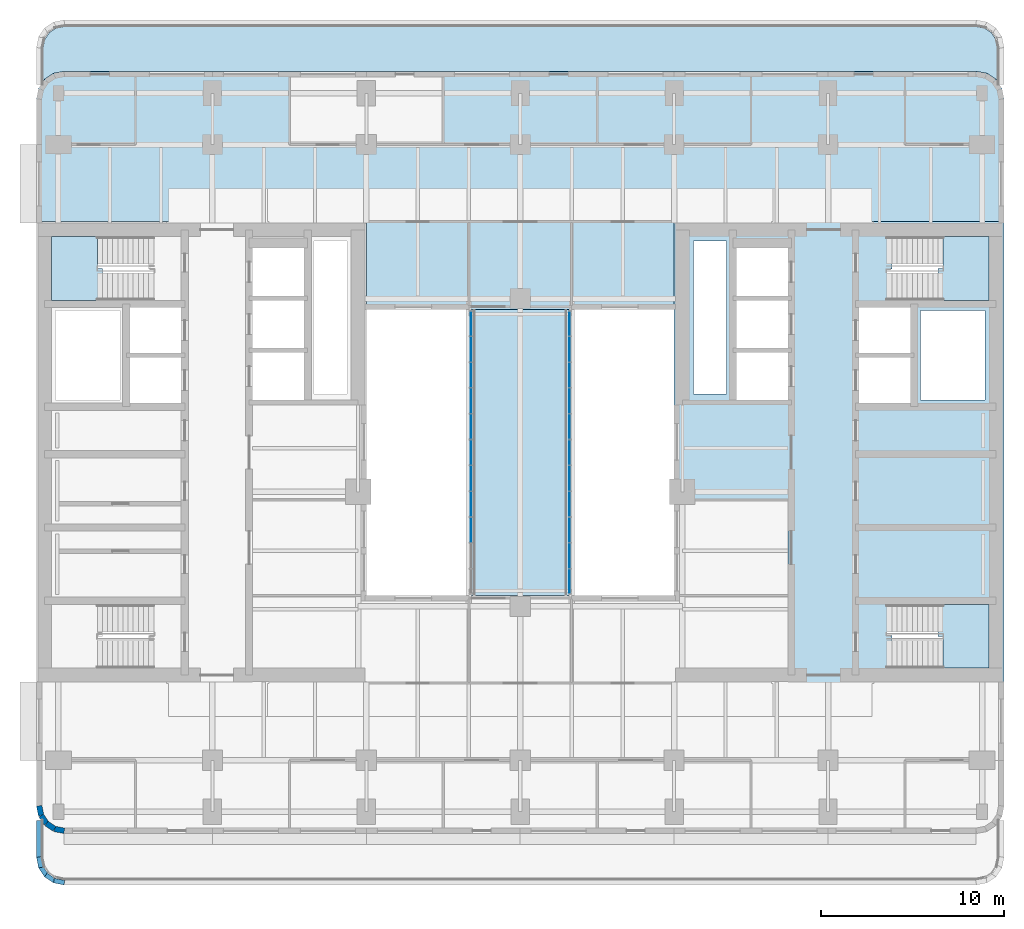
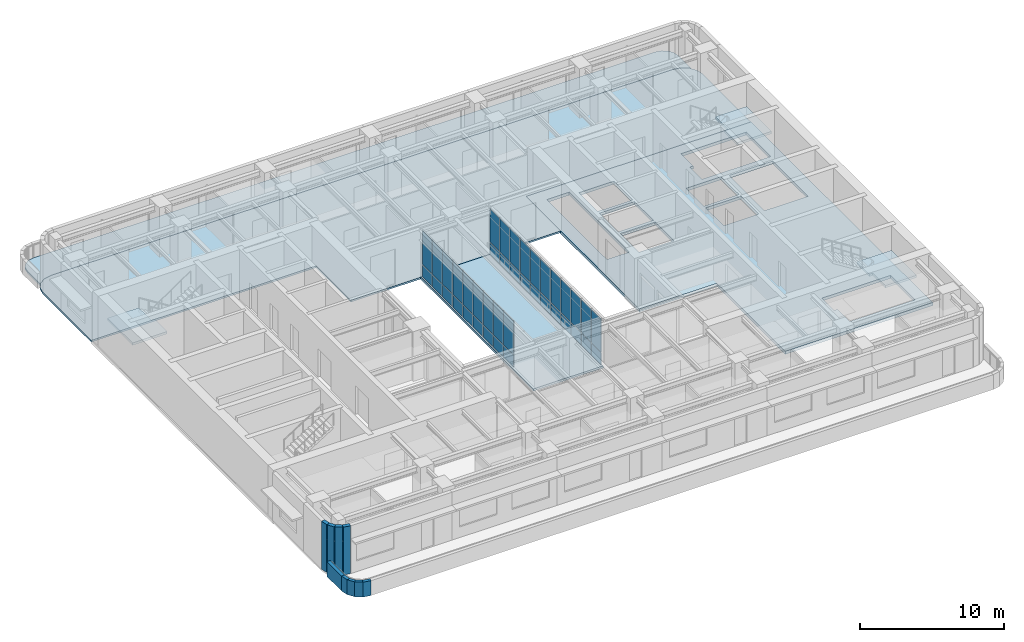
# One storey, part 5 of 15: 40 plates, 9 walls, 7 slabs, 5 elements without a shape of their own.
"""IFC4 building model written with IfcOpenShell, lengths in metres."""

import ifcopenshell
import ifcopenshell.guid

model = None  # the IFC model being written
_history = None  # IfcOwnerHistory: only IFC2X3 demands one
_inside = {}  # id of a spatial element -> (the spatial element, [elements in it])
_under = {}  # id of a project, library or spatial element -> (it, [spatial elements below it])
_declared = {}  # id of a project -> (the project, [libraries it declares])
_typed = {}  # id of a type object -> (the type object, [elements of that type])
_made_of = {}  # id of a material, layer set ... -> (it, [elements and type objects made of it])


def new_model(schema):
    """Start an empty IFC model of exactly this schema.

    Asked for "IFC4X3", IfcOpenShell would pick the latest addendum, in which some entities
    have other attributes; the version numbers below select the first issue.
    IFC2X3 requires an IfcOwnerHistory on every rooted entity: one is made here for all.
    """
    global model, _history
    if schema == "IFC4X3":
        model = ifcopenshell.file(schema_version=(4, 3, 0, 0))
    else:
        model = ifcopenshell.file(schema=schema)
    _inside.clear()
    _under.clear()
    _declared.clear()
    _typed.clear()
    _made_of.clear()
    _history = None
    if model.schema == "IFC2X3":
        org = make("IfcOrganization", Name="unknown")
        user = make(
            "IfcPersonAndOrganization",
            ThePerson=make("IfcPerson", FamilyName="unknown"),
            TheOrganization=org,
        )
        app = make(
            "IfcApplication",
            ApplicationDeveloper=org,
            Version="unknown",
            ApplicationFullName="unknown",
            ApplicationIdentifier="unknown",
        )
        _history = make(
            "IfcOwnerHistory",
            OwningUser=user,
            OwningApplication=app,
            ChangeAction="ADDED",
            CreationDate=0,
        )
    return model


def make(cls, **values):
    """One entity of the class cls with the attributes given. An attribute that is None is left unset."""
    return model.create_entity(
        cls, **{name: value for name, value in values.items() if value is not None}
    )


def rooted(cls, **values):
    """An entity with a GlobalId (a new one), such as an element, a storey or a relation."""
    return make(cls, GlobalId=ifcopenshell.guid.new(), OwnerHistory=_history, **values)


def si_unit(unit_type, name, prefix=None):
    """IfcSIUnit, for example si_unit("LENGTHUNIT", "METRE", prefix="MILLI")."""
    return make("IfcSIUnit", UnitType=unit_type, Prefix=prefix, Name=name)


def assignment(units):
    """IfcUnitAssignment: the units of a project."""
    return None if units is None else make("IfcUnitAssignment", Units=units)


def point(xyz):
    """IfcCartesianPoint."""
    return None if xyz is None else make("IfcCartesianPoint", Coordinates=xyz)


def direction(xyz):
    """IfcDirection."""
    return None if xyz is None else make("IfcDirection", DirectionRatios=xyz)


def frame(location, z_axis=None, x_axis=None):
    """IfcAxis2Placement3D, a coordinate frame: its origin and axes. An axis left out is left unset."""
    return make(
        "IfcAxis2Placement3D",
        Location=point(location),
        Axis=direction(z_axis),
        RefDirection=direction(x_axis),
    )


def frame_2d(location, x_axis=None):
    """IfcAxis2Placement2D, a coordinate frame in the plane: its origin and x axis."""
    return make(
        "IfcAxis2Placement2D", Location=point(location), RefDirection=direction(x_axis)
    )


def origin():
    """The frame at (0, 0, 0) with its axes left unset."""
    return frame((0.0, 0.0, 0.0))


def origin_2d():
    """The frame at (0, 0) in the plane with its x axis left unset."""
    return frame_2d((0.0, 0.0))


def place(relative_to, where):
    """IfcLocalPlacement: puts the frame where relative to a parent placement (None: the world)."""
    return make(
        "IfcLocalPlacement", PlacementRelTo=relative_to, RelativePlacement=where
    )


def context(
    kind, dimensions, precision=None, world=None, true_north=None, identifier=None
):
    """IfcGeometricRepresentationContext, for example the 3D "Model" context."""
    return make(
        "IfcGeometricRepresentationContext",
        ContextIdentifier=identifier,
        ContextType=kind,
        CoordinateSpaceDimension=dimensions,
        Precision=precision,
        WorldCoordinateSystem=world,
        TrueNorth=true_north,
    )


def subcontext(parent, identifier, kind, view, scale=None):
    """IfcGeometricRepresentationSubContext, for example "Body" below "Model"."""
    return make(
        "IfcGeometricRepresentationSubContext",
        ContextIdentifier=identifier,
        ContextType=kind,
        ParentContext=parent,
        TargetScale=scale,
        TargetView=view,
    )


def project(units=None, contexts=None):
    """IfcProject with its units and contexts."""
    return rooted(
        "IfcProject",
        Name="project",
        RepresentationContexts=contexts,
        UnitsInContext=assignment(units),
    )


def spatial(cls, under=None, at=None, **own):
    """A site, building, storey or space (cls), placed at a placement, below another one or the project."""
    s = rooted(cls, ObjectPlacement=at, **own)
    if under is not None:
        _under.setdefault(under.id(), (under, []))[1].append(s)
    return s


def polyline(points):
    """IfcPolyline through the points."""
    return make("IfcPolyline", Points=[point(p) for p in points])


def profile(cls, at=None, kind="AREA", **sizes):
    """A parametric profile (cls). Its sizes go by their IFC names, for example OverallWidth=200.0."""
    return make(cls, ProfileType=kind, Position=at, **sizes)


def rectangle(**sizes):
    """IfcRectangleProfileDef."""
    return profile("IfcRectangleProfileDef", **sizes)


def outline(outer, holes=None, kind="AREA"):
    """IfcArbitraryClosedProfileDef: a profile drawn as a closed curve; with holes, ...WithVoids."""
    if holes is None:
        return make("IfcArbitraryClosedProfileDef", ProfileType=kind, OuterCurve=outer)
    return make(
        "IfcArbitraryProfileDefWithVoids",
        ProfileType=kind,
        OuterCurve=outer,
        InnerCurves=holes,
    )


def extrude(swept, where, along, depth):
    """IfcExtrudedAreaSolid: the profile swept, set in the frame where, extruded along a direction by depth."""
    return make(
        "IfcExtrudedAreaSolid",
        SweptArea=swept,
        Position=where,
        ExtrudedDirection=direction(along),
        Depth=depth,
    )


def shape(context_of_items, identifier, shape_type, items):
    """IfcShapeRepresentation: the items that make up one representation, for example the "Body"."""
    return make(
        "IfcShapeRepresentation",
        ContextOfItems=context_of_items,
        RepresentationIdentifier=identifier,
        RepresentationType=shape_type,
        Items=items,
    )


def material(Name=None, Category=None):
    """IfcMaterial."""
    return make("IfcMaterial", Name=Name, Category=Category)


def layer(
    of_material, thickness, ventilated=None, Name=None, Category=None, Priority=None
):
    """IfcMaterialLayer: one layer of a wall or slab, of a material (None: an air gap)."""
    return make(
        "IfcMaterialLayer",
        Material=of_material,
        LayerThickness=thickness,
        IsVentilated=ventilated,
        Name=Name,
        Category=Category,
        Priority=Priority,
    )


def layer_set(layers, Name=None):
    """IfcMaterialLayerSet."""
    return make("IfcMaterialLayerSet", MaterialLayers=layers, LayerSetName=Name)


def made_of(thing, what):
    """Note that an element or type object is made of a material, layer set ...; save() writes the relation."""
    if what is not None:
        _made_of.setdefault(what.id(), (what, []))[1].append(thing)
    return thing


def type_object(cls, material=None, **own):
    """A type object (cls), such as IfcWallType, which elements share."""
    return made_of(rooted(cls, **own), material)


def element(
    cls,
    number,
    at=None,
    inside=None,
    cuts=None,
    type_object=None,
    material=None,
    context=None,
    identifier="Body",
    shape_type=None,
    held_by="IfcProductDefinitionShape",
    body=None,
    shapes=None,
    **own,
):
    """One element of the class cls, such as IfcWall. Its Tag is "e" and its number.

    at: its placement. inside: the storey or other place that contains it. cuts: it is an
    opening in that element (IfcRelVoidsElement). A single representation is given by context,
    identifier, shape_type and body (its items); several are given by shapes. held_by: the class
    of the entity that holds the representations. save() writes the other relations.
    """
    e = rooted(cls, Tag="e%d" % number, ObjectPlacement=at, **own)
    if body is not None:
        shapes = [shape(context, identifier, shape_type, body)]
    if shapes is not None:
        e.Representation = make(held_by, Representations=shapes)
    if inside is not None:
        _inside.setdefault(inside.id(), (inside, []))[1].append(e)
    if cuts is not None:
        rooted(
            "IfcRelVoidsElement", RelatingBuildingElement=cuts, RelatedOpeningElement=e
        )
    if type_object is not None:
        _typed.setdefault(type_object.id(), (type_object, []))[1].append(e)
    return made_of(e, material)


def aggregate(whole, parts):
    """IfcRelAggregates: a whole, such as a stair, and the parts it consists of."""
    return rooted("IfcRelAggregates", RelatingObject=whole, RelatedObjects=parts)


def save(model, path):
    """Write the relations noted so far, then the file.

    IfcRelAggregates (storeys below a building ...), IfcRelContainedInSpatialStructure (elements
    in a storey), IfcRelDefinesByType, IfcRelAssociatesMaterial and IfcRelDeclares: one each for
    every whole, place, type object, material and project.
    """
    for whole, parts in _under.values():
        aggregate(whole, parts)
    for where, things in _inside.values():
        rooted(
            "IfcRelContainedInSpatialStructure",
            RelatedElements=things,
            RelatingStructure=where,
        )
    for kind, things in _typed.values():
        rooted("IfcRelDefinesByType", RelatedObjects=things, RelatingType=kind)
    for what, things in _made_of.values():
        rooted("IfcRelAssociatesMaterial", RelatedObjects=things, RelatingMaterial=what)
    for by, libraries in _declared.values():
        rooted("IfcRelDeclares", RelatingContext=by, RelatedDefinitions=libraries)
    model.write(path)


model = new_model("IFC4")

# Units and contexts
model_context = context("Model", 3, precision=1e-05, world=origin(), true_north=direction((0.0, 1.0)))
body_context = subcontext(model_context, "Body", "Model", "MODEL_VIEW")
ifc_project = project(units=[si_unit("LENGTHUNIT", "METRE"), si_unit("AREAUNIT", "SQUARE_METRE"), si_unit("VOLUMEUNIT", "CUBIC_METRE"), si_unit("PLANEANGLEUNIT", "RADIAN"), si_unit("MASSUNIT", "GRAM", prefix="KILO")], contexts=[model_context])

# Site, building, storey
site_placement = place(None, origin())
site = spatial("IfcSite", under=ifc_project, at=site_placement, CompositionType="ELEMENT")
building_placement = place(site_placement, origin())
building = spatial("IfcBuilding", under=site, at=building_placement, Name="Claustro Exchange Tower", CompositionType="ELEMENT")
storey_placement = place(building_placement, frame((0.0, 0.0, 173.39990234375)))
storey = spatial("IfcBuildingStorey", under=building, at=storey_placement, Name="L39", CompositionType="ELEMENT", Elevation=173.39990234375)

# Curtain wall, plates
ifc_material_1 = material(Name="Aluminium frame, clear double glazing", Category="aluminium")
curtain_wall_type = type_object("IfcCurtainWallType", Name="CW2 sky bridge curtain wall", PredefinedType="USERDEFINED", material=ifc_material_1)
curtain_wall_1_placement = place(storey_placement, origin())
curtain_wall_1 = element("IfcCurtainWall", 1, at=curtain_wall_1_placement, inside=storey, type_object=curtain_wall_type, Name="Curtain wall CW2 L39", ObjectType="STICK CURTAIN WALL", PredefinedType="USERDEFINED")
ifc_material_2 = material(Name="Clear double glazing", Category="glass")
ifc_layer_1 = layer(ifc_material_2, 0.028076171875)
ifc_layer_set_1 = layer_set([ifc_layer_1], Name="Clear double glazing")
plate_type = type_object("IfcPlateType", Name="CW2-P 28 glazed panel", PredefinedType="CURTAIN_PANEL", material=ifc_layer_set_1)
plate_1_placement = place(storey_placement, frame((22.5, 20.97265625, 0.06005859375), z_axis=(0.0, 0.0, 1.0), x_axis=(0.0, 1.0, 0.0)))
plate_1 = element("IfcPlate", 2, at=plate_1_placement, type_object=plate_type, Name="CW2 panel 3.1", PredefinedType="CURTAIN_PANEL", context=body_context, shape_type="SweptSolid", body=[
    extrude(rectangle(XDim=1.34912109375, YDim=0.028076171875, at=origin_2d()), origin(), (0.0, 0.0, 1.0), 1.010009765625),
])
plate_2_placement = place(storey_placement, frame((22.5, 20.97265625, 1.130126953125), z_axis=(0.0, 0.0, 1.0), x_axis=(0.0, 1.0, 0.0)))
plate_2 = element("IfcPlate", 3, at=plate_2_placement, type_object=plate_type, Name="CW2 panel 3.2", PredefinedType="CURTAIN_PANEL", context=body_context, shape_type="SweptSolid", body=[
    extrude(rectangle(XDim=1.34912109375, YDim=0.028076171875, at=origin_2d()), origin(), (0.0, 0.0, 1.0), 2.81005859375),
])
plate_3_placement = place(storey_placement, frame((22.5, 22.3818359375, 0.06005859375), z_axis=(0.0, 0.0, 1.0), x_axis=(0.0, 1.0, 0.0)))
plate_3 = element("IfcPlate", 4, at=plate_3_placement, type_object=plate_type, Name="CW2 panel 4.1", PredefinedType="CURTAIN_PANEL", context=body_context, shape_type="SweptSolid", body=[
    extrude(rectangle(XDim=1.34912109375, YDim=0.028076171875, at=origin_2d()), origin(), (0.0, 0.0, 1.0), 1.010009765625),
])
plate_4_placement = place(storey_placement, frame((22.5, 22.3818359375, 1.130126953125), z_axis=(0.0, 0.0, 1.0), x_axis=(0.0, 1.0, 0.0)))
plate_4 = element("IfcPlate", 5, at=plate_4_placement, type_object=plate_type, Name="CW2 panel 4.2", PredefinedType="CURTAIN_PANEL", context=body_context, shape_type="SweptSolid", body=[
    extrude(rectangle(XDim=1.34912109375, YDim=0.028076171875, at=origin_2d()), origin(), (0.0, 0.0, 1.0), 2.81005859375),
])
plate_5_placement = place(storey_placement, frame((22.5, 23.791015625, 0.06005859375), z_axis=(0.0, 0.0, 1.0), x_axis=(0.0, 1.0, 0.0)))
plate_5 = element("IfcPlate", 6, at=plate_5_placement, type_object=plate_type, Name="CW2 panel 5.1", PredefinedType="CURTAIN_PANEL", context=body_context, shape_type="SweptSolid", body=[
    extrude(rectangle(XDim=1.34912109375, YDim=0.028076171875, at=origin_2d()), origin(), (0.0, 0.0, 1.0), 1.010009765625),
])
plate_6_placement = place(storey_placement, frame((22.5, 23.791015625, 1.130126953125), z_axis=(0.0, 0.0, 1.0), x_axis=(0.0, 1.0, 0.0)))
plate_6 = element("IfcPlate", 7, at=plate_6_placement, type_object=plate_type, Name="CW2 panel 5.2", PredefinedType="CURTAIN_PANEL", context=body_context, shape_type="SweptSolid", body=[
    extrude(rectangle(XDim=1.34912109375, YDim=0.028076171875, at=origin_2d()), origin(), (0.0, 0.0, 1.0), 2.81005859375),
])
plate_7_placement = place(storey_placement, frame((22.5, 25.199951171875, 0.06005859375), z_axis=(0.0, 0.0, 1.0), x_axis=(0.0, 1.0, 0.0)))
plate_7 = element("IfcPlate", 8, at=plate_7_placement, type_object=plate_type, Name="CW2 panel 6.1", PredefinedType="CURTAIN_PANEL", context=body_context, shape_type="SweptSolid", body=[
    extrude(rectangle(XDim=1.34912109375, YDim=0.028076171875, at=origin_2d()), origin(), (0.0, 0.0, 1.0), 1.010009765625),
])
plate_8_placement = place(storey_placement, frame((22.5, 25.199951171875, 1.130126953125), z_axis=(0.0, 0.0, 1.0), x_axis=(0.0, 1.0, 0.0)))
plate_8 = element("IfcPlate", 9, at=plate_8_placement, type_object=plate_type, Name="CW2 panel 6.2", PredefinedType="CURTAIN_PANEL", context=body_context, shape_type="SweptSolid", body=[
    extrude(rectangle(XDim=1.34912109375, YDim=0.028076171875, at=origin_2d()), origin(), (0.0, 0.0, 1.0), 2.81005859375),
])
plate_9_placement = place(storey_placement, frame((22.5, 26.609130859375, 0.06005859375), z_axis=(0.0, 0.0, 1.0), x_axis=(0.0, 1.0, 0.0)))
plate_9 = element("IfcPlate", 10, at=plate_9_placement, type_object=plate_type, Name="CW2 panel 7.1", PredefinedType="CURTAIN_PANEL", context=body_context, shape_type="SweptSolid", body=[
    extrude(rectangle(XDim=1.34912109375, YDim=0.028076171875, at=origin_2d()), origin(), (0.0, 0.0, 1.0), 1.010009765625),
])
plate_10_placement = place(storey_placement, frame((22.5, 26.609130859375, 1.130126953125), z_axis=(0.0, 0.0, 1.0), x_axis=(0.0, 1.0, 0.0)))
plate_10 = element("IfcPlate", 11, at=plate_10_placement, type_object=plate_type, Name="CW2 panel 7.2", PredefinedType="CURTAIN_PANEL", context=body_context, shape_type="SweptSolid", body=[
    extrude(rectangle(XDim=1.34912109375, YDim=0.028076171875, at=origin_2d()), origin(), (0.0, 0.0, 1.0), 2.81005859375),
])
plate_11_placement = place(storey_placement, frame((22.5, 28.01806640625, 0.06005859375), z_axis=(0.0, 0.0, 1.0), x_axis=(0.0, 1.0, 0.0)))
plate_11 = element("IfcPlate", 12, at=plate_11_placement, type_object=plate_type, Name="CW2 panel 8.1", PredefinedType="CURTAIN_PANEL", context=body_context, shape_type="SweptSolid", body=[
    extrude(rectangle(XDim=1.34912109375, YDim=0.028076171875, at=origin_2d()), origin(), (0.0, 0.0, 1.0), 1.010009765625),
])
plate_12_placement = place(storey_placement, frame((22.5, 28.01806640625, 1.130126953125), z_axis=(0.0, 0.0, 1.0), x_axis=(0.0, 1.0, 0.0)))
plate_12 = element("IfcPlate", 13, at=plate_12_placement, type_object=plate_type, Name="CW2 panel 8.2", PredefinedType="CURTAIN_PANEL", context=body_context, shape_type="SweptSolid", body=[
    extrude(rectangle(XDim=1.34912109375, YDim=0.028076171875, at=origin_2d()), origin(), (0.0, 0.0, 1.0), 2.81005859375),
])
plate_13_placement = place(storey_placement, frame((22.5, 29.42724609375, 0.06005859375), z_axis=(0.0, 0.0, 1.0), x_axis=(0.0, 1.0, 0.0)))
plate_13 = element("IfcPlate", 14, at=plate_13_placement, type_object=plate_type, Name="CW2 panel 9.1", PredefinedType="CURTAIN_PANEL", context=body_context, shape_type="SweptSolid", body=[
    extrude(rectangle(XDim=1.34912109375, YDim=0.028076171875, at=origin_2d()), origin(), (0.0, 0.0, 1.0), 1.010009765625),
])
plate_14_placement = place(storey_placement, frame((22.5, 29.42724609375, 1.130126953125), z_axis=(0.0, 0.0, 1.0), x_axis=(0.0, 1.0, 0.0)))
plate_14 = element("IfcPlate", 15, at=plate_14_placement, type_object=plate_type, Name="CW2 panel 9.2", PredefinedType="CURTAIN_PANEL", context=body_context, shape_type="SweptSolid", body=[
    extrude(rectangle(XDim=1.34912109375, YDim=0.028076171875, at=origin_2d()), origin(), (0.0, 0.0, 1.0), 2.81005859375),
])
plate_15_placement = place(storey_placement, frame((22.5, 30.83642578125, 0.06005859375), z_axis=(0.0, 0.0, 1.0), x_axis=(0.0, 1.0, 0.0)))
plate_15 = element("IfcPlate", 16, at=plate_15_placement, type_object=plate_type, Name="CW2 panel 10.1", PredefinedType="CURTAIN_PANEL", context=body_context, shape_type="SweptSolid", body=[
    extrude(rectangle(XDim=1.34912109375, YDim=0.028076171875, at=origin_2d()), origin(), (0.0, 0.0, 1.0), 1.010009765625),
])
plate_16_placement = place(storey_placement, frame((22.5, 30.83642578125, 1.130126953125), z_axis=(0.0, 0.0, 1.0), x_axis=(0.0, 1.0, 0.0)))
plate_16 = element("IfcPlate", 17, at=plate_16_placement, type_object=plate_type, Name="CW2 panel 10.2", PredefinedType="CURTAIN_PANEL", context=body_context, shape_type="SweptSolid", body=[
    extrude(rectangle(XDim=1.34912109375, YDim=0.028076171875, at=origin_2d()), origin(), (0.0, 0.0, 1.0), 2.81005859375),
])
plate_17_placement = place(storey_placement, frame((22.5, 32.23046875, 0.06005859375), z_axis=(0.0, 0.0, 1.0), x_axis=(0.0, 1.0, 0.0)))
plate_17 = element("IfcPlate", 18, at=plate_17_placement, type_object=plate_type, Name="CW2 panel 11.1", PredefinedType="CURTAIN_PANEL", context=body_context, shape_type="SweptSolid", body=[
    extrude(rectangle(XDim=1.319091796875, YDim=0.028076171875, at=origin_2d()), origin(), (0.0, 0.0, 1.0), 1.010009765625),
])
plate_18_placement = place(storey_placement, frame((22.5, 32.23046875, 1.130126953125), z_axis=(0.0, 0.0, 1.0), x_axis=(0.0, 1.0, 0.0)))
plate_18 = element("IfcPlate", 19, at=plate_18_placement, type_object=plate_type, Name="CW2 panel 11.2", PredefinedType="CURTAIN_PANEL", context=body_context, shape_type="SweptSolid", body=[
    extrude(rectangle(XDim=1.319091796875, YDim=0.028076171875, at=origin_2d()), origin(), (0.0, 0.0, 1.0), 2.81005859375),
])
aggregate(curtain_wall_1, [plate_1, plate_2, plate_3, plate_4, plate_5, plate_6, plate_7, plate_8, plate_9, plate_10, plate_11, plate_12, plate_13, plate_14, plate_15, plate_16, plate_17, plate_18])

curtain_wall_2_placement = place(storey_placement, origin())
curtain_wall_2 = element("IfcCurtainWall", 20, at=curtain_wall_2_placement, inside=storey, type_object=curtain_wall_type, Name="Curtain wall CW2 L39", ObjectType="STICK CURTAIN WALL", PredefinedType="USERDEFINED")
plate_19_placement = place(storey_placement, frame((27.89990234375, 18.16943359375, 0.06005859375), z_axis=(0.0, 0.0, 1.0), x_axis=(0.0, 1.0, 0.0)))
plate_19 = element("IfcPlate", 21, at=plate_19_placement, type_object=plate_type, Name="CW2 panel 1.1", PredefinedType="CURTAIN_PANEL", context=body_context, shape_type="SweptSolid", body=[
    extrude(rectangle(XDim=1.319091796875, YDim=0.028076171875, at=origin_2d()), origin(), (0.0, 0.0, 1.0), 1.010009765625),
])
plate_20_placement = place(storey_placement, frame((27.89990234375, 18.16943359375, 1.130126953125), z_axis=(0.0, 0.0, 1.0), x_axis=(0.0, 1.0, 0.0)))
plate_20 = element("IfcPlate", 22, at=plate_20_placement, type_object=plate_type, Name="CW2 panel 1.2", PredefinedType="CURTAIN_PANEL", context=body_context, shape_type="SweptSolid", body=[
    extrude(rectangle(XDim=1.319091796875, YDim=0.028076171875, at=origin_2d()), origin(), (0.0, 0.0, 1.0), 2.81005859375),
])
plate_21_placement = place(storey_placement, frame((27.89990234375, 19.563720703125, 0.06005859375), z_axis=(0.0, 0.0, 1.0), x_axis=(0.0, 1.0, 0.0)))
plate_21 = element("IfcPlate", 23, at=plate_21_placement, type_object=plate_type, Name="CW2 panel 2.1", PredefinedType="CURTAIN_PANEL", context=body_context, shape_type="SweptSolid", body=[
    extrude(rectangle(XDim=1.34912109375, YDim=0.028076171875, at=origin_2d()), origin(), (0.0, 0.0, 1.0), 1.010009765625),
])
plate_22_placement = place(storey_placement, frame((27.89990234375, 19.563720703125, 1.130126953125), z_axis=(0.0, 0.0, 1.0), x_axis=(0.0, 1.0, 0.0)))
plate_22 = element("IfcPlate", 24, at=plate_22_placement, type_object=plate_type, Name="CW2 panel 2.2", PredefinedType="CURTAIN_PANEL", context=body_context, shape_type="SweptSolid", body=[
    extrude(rectangle(XDim=1.34912109375, YDim=0.028076171875, at=origin_2d()), origin(), (0.0, 0.0, 1.0), 2.81005859375),
])
plate_23_placement = place(storey_placement, frame((27.89990234375, 20.97265625, 0.06005859375), z_axis=(0.0, 0.0, 1.0), x_axis=(0.0, 1.0, 0.0)))
plate_23 = element("IfcPlate", 25, at=plate_23_placement, type_object=plate_type, Name="CW2 panel 3.1", PredefinedType="CURTAIN_PANEL", context=body_context, shape_type="SweptSolid", body=[
    extrude(rectangle(XDim=1.34912109375, YDim=0.028076171875, at=origin_2d()), origin(), (0.0, 0.0, 1.0), 1.010009765625),
])
plate_24_placement = place(storey_placement, frame((27.89990234375, 20.97265625, 1.130126953125), z_axis=(0.0, 0.0, 1.0), x_axis=(0.0, 1.0, 0.0)))
plate_24 = element("IfcPlate", 26, at=plate_24_placement, type_object=plate_type, Name="CW2 panel 3.2", PredefinedType="CURTAIN_PANEL", context=body_context, shape_type="SweptSolid", body=[
    extrude(rectangle(XDim=1.34912109375, YDim=0.028076171875, at=origin_2d()), origin(), (0.0, 0.0, 1.0), 2.81005859375),
])
plate_25_placement = place(storey_placement, frame((27.89990234375, 22.3818359375, 0.06005859375), z_axis=(0.0, 0.0, 1.0), x_axis=(0.0, 1.0, 0.0)))
plate_25 = element("IfcPlate", 27, at=plate_25_placement, type_object=plate_type, Name="CW2 panel 4.1", PredefinedType="CURTAIN_PANEL", context=body_context, shape_type="SweptSolid", body=[
    extrude(rectangle(XDim=1.34912109375, YDim=0.028076171875, at=origin_2d()), origin(), (0.0, 0.0, 1.0), 1.010009765625),
])
plate_26_placement = place(storey_placement, frame((27.89990234375, 22.3818359375, 1.130126953125), z_axis=(0.0, 0.0, 1.0), x_axis=(0.0, 1.0, 0.0)))
plate_26 = element("IfcPlate", 28, at=plate_26_placement, type_object=plate_type, Name="CW2 panel 4.2", PredefinedType="CURTAIN_PANEL", context=body_context, shape_type="SweptSolid", body=[
    extrude(rectangle(XDim=1.34912109375, YDim=0.028076171875, at=origin_2d()), origin(), (0.0, 0.0, 1.0), 2.81005859375),
])
plate_27_placement = place(storey_placement, frame((27.89990234375, 23.791015625, 0.06005859375), z_axis=(0.0, 0.0, 1.0), x_axis=(0.0, 1.0, 0.0)))
plate_27 = element("IfcPlate", 29, at=plate_27_placement, type_object=plate_type, Name="CW2 panel 5.1", PredefinedType="CURTAIN_PANEL", context=body_context, shape_type="SweptSolid", body=[
    extrude(rectangle(XDim=1.34912109375, YDim=0.028076171875, at=origin_2d()), origin(), (0.0, 0.0, 1.0), 1.010009765625),
])
plate_28_placement = place(storey_placement, frame((27.89990234375, 23.791015625, 1.130126953125), z_axis=(0.0, 0.0, 1.0), x_axis=(0.0, 1.0, 0.0)))
plate_28 = element("IfcPlate", 30, at=plate_28_placement, type_object=plate_type, Name="CW2 panel 5.2", PredefinedType="CURTAIN_PANEL", context=body_context, shape_type="SweptSolid", body=[
    extrude(rectangle(XDim=1.34912109375, YDim=0.028076171875, at=origin_2d()), origin(), (0.0, 0.0, 1.0), 2.81005859375),
])
plate_29_placement = place(storey_placement, frame((27.89990234375, 25.199951171875, 0.06005859375), z_axis=(0.0, 0.0, 1.0), x_axis=(0.0, 1.0, 0.0)))
plate_29 = element("IfcPlate", 31, at=plate_29_placement, type_object=plate_type, Name="CW2 panel 6.1", PredefinedType="CURTAIN_PANEL", context=body_context, shape_type="SweptSolid", body=[
    extrude(rectangle(XDim=1.34912109375, YDim=0.028076171875, at=origin_2d()), origin(), (0.0, 0.0, 1.0), 1.010009765625),
])
plate_30_placement = place(storey_placement, frame((27.89990234375, 25.199951171875, 1.130126953125), z_axis=(0.0, 0.0, 1.0), x_axis=(0.0, 1.0, 0.0)))
plate_30 = element("IfcPlate", 32, at=plate_30_placement, type_object=plate_type, Name="CW2 panel 6.2", PredefinedType="CURTAIN_PANEL", context=body_context, shape_type="SweptSolid", body=[
    extrude(rectangle(XDim=1.34912109375, YDim=0.028076171875, at=origin_2d()), origin(), (0.0, 0.0, 1.0), 2.81005859375),
])
plate_31_placement = place(storey_placement, frame((27.89990234375, 26.609130859375, 0.06005859375), z_axis=(0.0, 0.0, 1.0), x_axis=(0.0, 1.0, 0.0)))
plate_31 = element("IfcPlate", 33, at=plate_31_placement, type_object=plate_type, Name="CW2 panel 7.1", PredefinedType="CURTAIN_PANEL", context=body_context, shape_type="SweptSolid", body=[
    extrude(rectangle(XDim=1.34912109375, YDim=0.028076171875, at=origin_2d()), origin(), (0.0, 0.0, 1.0), 1.010009765625),
])
plate_32_placement = place(storey_placement, frame((27.89990234375, 26.609130859375, 1.130126953125), z_axis=(0.0, 0.0, 1.0), x_axis=(0.0, 1.0, 0.0)))
plate_32 = element("IfcPlate", 34, at=plate_32_placement, type_object=plate_type, Name="CW2 panel 7.2", PredefinedType="CURTAIN_PANEL", context=body_context, shape_type="SweptSolid", body=[
    extrude(rectangle(XDim=1.34912109375, YDim=0.028076171875, at=origin_2d()), origin(), (0.0, 0.0, 1.0), 2.81005859375),
])
plate_33_placement = place(storey_placement, frame((27.89990234375, 28.01806640625, 0.06005859375), z_axis=(0.0, 0.0, 1.0), x_axis=(0.0, 1.0, 0.0)))
plate_33 = element("IfcPlate", 35, at=plate_33_placement, type_object=plate_type, Name="CW2 panel 8.1", PredefinedType="CURTAIN_PANEL", context=body_context, shape_type="SweptSolid", body=[
    extrude(rectangle(XDim=1.34912109375, YDim=0.028076171875, at=origin_2d()), origin(), (0.0, 0.0, 1.0), 1.010009765625),
])
plate_34_placement = place(storey_placement, frame((27.89990234375, 28.01806640625, 1.130126953125), z_axis=(0.0, 0.0, 1.0), x_axis=(0.0, 1.0, 0.0)))
plate_34 = element("IfcPlate", 36, at=plate_34_placement, type_object=plate_type, Name="CW2 panel 8.2", PredefinedType="CURTAIN_PANEL", context=body_context, shape_type="SweptSolid", body=[
    extrude(rectangle(XDim=1.34912109375, YDim=0.028076171875, at=origin_2d()), origin(), (0.0, 0.0, 1.0), 2.81005859375),
])
plate_35_placement = place(storey_placement, frame((27.89990234375, 29.42724609375, 0.06005859375), z_axis=(0.0, 0.0, 1.0), x_axis=(0.0, 1.0, 0.0)))
plate_35 = element("IfcPlate", 37, at=plate_35_placement, type_object=plate_type, Name="CW2 panel 9.1", PredefinedType="CURTAIN_PANEL", context=body_context, shape_type="SweptSolid", body=[
    extrude(rectangle(XDim=1.34912109375, YDim=0.028076171875, at=origin_2d()), origin(), (0.0, 0.0, 1.0), 1.010009765625),
])
plate_36_placement = place(storey_placement, frame((27.89990234375, 29.42724609375, 1.130126953125), z_axis=(0.0, 0.0, 1.0), x_axis=(0.0, 1.0, 0.0)))
plate_36 = element("IfcPlate", 38, at=plate_36_placement, type_object=plate_type, Name="CW2 panel 9.2", PredefinedType="CURTAIN_PANEL", context=body_context, shape_type="SweptSolid", body=[
    extrude(rectangle(XDim=1.34912109375, YDim=0.028076171875, at=origin_2d()), origin(), (0.0, 0.0, 1.0), 2.81005859375),
])
plate_37_placement = place(storey_placement, frame((27.89990234375, 30.83642578125, 0.06005859375), z_axis=(0.0, 0.0, 1.0), x_axis=(0.0, 1.0, 0.0)))
plate_37 = element("IfcPlate", 39, at=plate_37_placement, type_object=plate_type, Name="CW2 panel 10.1", PredefinedType="CURTAIN_PANEL", context=body_context, shape_type="SweptSolid", body=[
    extrude(rectangle(XDim=1.34912109375, YDim=0.028076171875, at=origin_2d()), origin(), (0.0, 0.0, 1.0), 1.010009765625),
])
plate_38_placement = place(storey_placement, frame((27.89990234375, 30.83642578125, 1.130126953125), z_axis=(0.0, 0.0, 1.0), x_axis=(0.0, 1.0, 0.0)))
plate_38 = element("IfcPlate", 40, at=plate_38_placement, type_object=plate_type, Name="CW2 panel 10.2", PredefinedType="CURTAIN_PANEL", context=body_context, shape_type="SweptSolid", body=[
    extrude(rectangle(XDim=1.34912109375, YDim=0.028076171875, at=origin_2d()), origin(), (0.0, 0.0, 1.0), 2.81005859375),
])
plate_39_placement = place(storey_placement, frame((27.89990234375, 32.23046875, 0.06005859375), z_axis=(0.0, 0.0, 1.0), x_axis=(0.0, 1.0, 0.0)))
plate_39 = element("IfcPlate", 41, at=plate_39_placement, type_object=plate_type, Name="CW2 panel 11.1", PredefinedType="CURTAIN_PANEL", context=body_context, shape_type="SweptSolid", body=[
    extrude(rectangle(XDim=1.319091796875, YDim=0.028076171875, at=origin_2d()), origin(), (0.0, 0.0, 1.0), 1.010009765625),
])
plate_40_placement = place(storey_placement, frame((27.89990234375, 32.23046875, 1.130126953125), z_axis=(0.0, 0.0, 1.0), x_axis=(0.0, 1.0, 0.0)))
plate_40 = element("IfcPlate", 42, at=plate_40_placement, type_object=plate_type, Name="CW2 panel 11.2", PredefinedType="CURTAIN_PANEL", context=body_context, shape_type="SweptSolid", body=[
    extrude(rectangle(XDim=1.319091796875, YDim=0.028076171875, at=origin_2d()), origin(), (0.0, 0.0, 1.0), 2.81005859375),
])
aggregate(curtain_wall_2, [plate_19, plate_20, plate_21, plate_22, plate_23, plate_24, plate_25, plate_26, plate_27, plate_28, plate_29, plate_30, plate_31, plate_32, plate_33, plate_34, plate_35, plate_36, plate_37, plate_38, plate_39, plate_40])

# Slabs
ifc_material_3 = material(Name="Precast concrete HA-30 (C30/37) paving slabs on adjustable pedestals over the inverted roof membrane", Category="concrete")
ifc_layer_2 = layer(ifc_material_3, 0.159912109375)
ifc_layer_set_2 = layer_set([ifc_layer_2], Name="Precast concrete HA-30 (C30/37) paving slabs on adjustable pedestals over the inverted roof membrane")
slab_type_1 = type_object("IfcSlabType", Name="PV2 160 terrace paving on pedestals", PredefinedType="USERDEFINED", material=ifc_layer_set_2)
slab_1_placement = place(storey_placement, frame((0.0, 0.0, -0.159912109375)))
element("IfcSlab", 43, at=slab_1_placement, inside=storey, type_object=slab_type_1, Name="Terrace paving PV2 L39", ObjectType="PAVING", PredefinedType="USERDEFINED", context=body_context, shape_type="SweptSolid", body=[
    extrude(outline(polyline([(-0.85009765625, 47.265380859375), (-0.85009765625, 45.946044921875), (-0.85009765625, 45.922119140625), (-0.85009765625, 45.427001953125), (-0.7607421875, 45.560791015625), (-0.27392578125, 45.8857421875), (0.300048828125, 46.0), (50.10009765625, 46.0), (50.674072265625, 45.8857421875), (51.16064453125, 45.560791015625), (51.25, 45.427001953125), (51.25, 45.922119140625), (51.25, 45.946044921875), (51.25, 47.265380859375), (51.156005859375, 47.737548828125), (50.908447265625, 48.1083984375), (50.53759765625, 48.356201171875), (50.0654296875, 48.449951171875), (0.33447265625, 48.449951171875), (-0.137451171875, 48.356201171875), (-0.50830078125, 48.1083984375), (-0.756103515625, 47.737548828125), (-0.85009765625, 47.265380859375)])), origin(), (0.0, 0.0, 1.0), 0.159912109375),
])
ifc_material_4 = material(Name="Concrete HA-50 (C50/60)", Category="concrete")
ifc_layer_3 = layer(ifc_material_4, 0.179931640625)
ifc_layer_set_3 = layer_set([ifc_layer_3], Name="Concrete HA-50 (C50/60)")
slab_type_2 = type_object("IfcSlabType", Name="S11 180 sky bridge composite slab", PredefinedType="FLOOR", material=ifc_layer_set_3)
slab_2_placement = place(storey_placement, frame((0.0, 0.0, -0.179931640625)))
element("IfcSlab", 44, at=slab_2_placement, inside=storey, type_object=slab_type_2, Name="Sky bridge floor slab S11 L39", PredefinedType="FLOOR", context=body_context, shape_type="SweptSolid", body=[
    extrude(outline(polyline([(28.0, 17.39990234375), (28.0, 33.0), (22.39990234375, 33.0), (22.39990234375, 17.39990234375), (28.0, 17.39990234375)])), origin(), (0.0, 0.0, 1.0), 0.179931640625),
])
ifc_material_5 = material(Name="Concrete HA-50 (C50/60)", Category="concrete")
ifc_layer_4 = layer(ifc_material_5, 0.14990234375)
ifc_layer_set_4 = layer_set([ifc_layer_4], Name="Concrete HA-50 (C50/60)")
slab_type_3 = type_object("IfcSlabType", Name="S2 150 composite floor slab", PredefinedType="FLOOR", material=ifc_layer_set_4)
slab_3_placement = place(storey_placement, frame((0.0, 0.0, -0.14990234375)))
element("IfcSlab", 45, at=slab_3_placement, inside=storey, type_object=slab_type_3, Name="Floor slab S2 N L39", PredefinedType="FLOOR", context=body_context, shape_type="SweptSolid", body=[
    extrude(outline(polyline([(16.800048828125, 37.800048828125), (16.800048828125, 33.0), (33.60009765625, 33.0), (33.60009765625, 37.800048828125), (51.60009765625, 37.800048828125), (51.60009765625, 44.5), (51.48583984375, 45.073974609375), (51.16064453125, 45.560791015625), (50.674072265625, 45.8857421875), (50.10009765625, 46.0), (0.300048828125, 46.0), (-0.27392578125, 45.8857421875), (-0.7607421875, 45.560791015625), (-1.085693359375, 45.073974609375), (-1.199951171875, 44.5), (-1.199951171875, 37.800048828125), (16.800048828125, 37.800048828125)])), origin(), (0.0, 0.0, 1.0), 0.14990234375),
])
ifc_material_6 = material(Name="Concrete HA-50 (C50/60)", Category="concrete")
ifc_layer_5 = layer(ifc_material_6, 0.25)
ifc_layer_set_5 = layer_set([ifc_layer_5], Name="Concrete HA-50 (C50/60)")
slab_type_4 = type_object("IfcSlabType", Name="S7 250 core floor slab", PredefinedType="FLOOR", material=ifc_layer_set_5)
slab_4_placement = place(storey_placement, frame((0.0, 0.0, -0.25)))
element("IfcSlab", 46, at=slab_4_placement, inside=storey, type_object=slab_type_4, Name="Core floor slab S7 E core L39", PredefinedType="FLOOR", context=body_context, shape_type="SweptSolid", body=[
    extrude(outline(polyline([(51.60009765625, 37.800048828125), (33.60009765625, 37.800048828125), (33.60009765625, 22.10009765625), (39.800048828125, 22.10009765625), (39.800048828125, 12.60009765625), (51.60009765625, 12.60009765625), (51.60009765625, 37.800048828125)]), holes=[polyline([(45.47998046875, 15.199951171875), (45.205078125, 15.199951171875), (45.205078125, 16.89990234375), (50.699951171875, 16.89990234375), (50.699951171875, 15.199951171875), (50.699951171875, 13.5), (45.47998046875, 13.5), (45.47998046875, 15.199951171875)]), polyline([(45.47998046875, 35.199951171875), (45.47998046875, 36.89990234375), (50.699951171875, 36.89990234375), (50.699951171875, 35.199951171875), (50.699951171875, 33.5), (45.205078125, 33.5), (45.205078125, 35.199951171875), (45.47998046875, 35.199951171875)]), polyline([(47.050048828125, 32.949951171875), (50.550048828125, 32.949951171875), (50.550048828125, 28.050048828125), (47.050048828125, 28.050048828125), (47.050048828125, 32.949951171875)]), polyline([(43.699951171875, 30.375), (46.5, 30.375), (46.5, 27.89990234375), (43.699951171875, 27.89990234375), (43.699951171875, 30.375)]), polyline([(43.699951171875, 33.10009765625), (46.5, 33.10009765625), (46.5, 30.625), (43.699951171875, 30.625), (43.699951171875, 33.10009765625)]), polyline([(37.0, 30.64990234375), (39.800048828125, 30.64990234375), (39.800048828125, 28.050048828125), (37.0, 28.050048828125), (37.0, 30.64990234375)]), polyline([(37.0, 33.5), (39.800048828125, 33.5), (39.800048828125, 30.89990234375), (37.0, 30.89990234375), (37.0, 33.5)]), polyline([(39.800048828125, 36.35009765625), (39.800048828125, 33.75), (37.0, 33.75), (37.0, 36.35009765625), (39.800048828125, 36.35009765625)]), polyline([(34.64990234375, 36.75), (36.449951171875, 36.75), (36.449951171875, 28.39990234375), (34.64990234375, 28.39990234375), (34.64990234375, 36.75)])]), origin(), (0.0, 0.0, 1.0), 0.25),
])

# Stair, slab
ifc_material_7 = material(Name="Concrete HA-30 (C30/37), precast", Category="concrete")
stair_type = type_object("IfcStairType", Name="ST1 half-turn stair, 24 risers of 175", PredefinedType="HALF_TURN_STAIR", material=ifc_material_7)
stair_1_placement = place(storey_placement, origin())
stair_1 = element("IfcStair", 47, at=stair_1_placement, inside=storey, type_object=stair_type, Name="Stair STWB L39", PredefinedType="HALF_TURN_STAIR")
ifc_material_8 = material(Name="Concrete HA-30 (C30/37), precast", Category="concrete")
ifc_layer_6 = layer(ifc_material_8, 0.199951171875)
ifc_layer_set_6 = layer_set([ifc_layer_6], Name="Concrete HA-30 (C30/37), precast")
slab_type_5 = type_object("IfcSlabType", Name="S9 200 stair landing", PredefinedType="LANDING", material=ifc_layer_set_6)
slab_5_placement = place(storey_placement, frame((0.0, 0.0, 1.900146484375)))
slab_5 = element("IfcSlab", 48, at=slab_5_placement, type_object=slab_type_5, Name="STWB landing 1", PredefinedType="LANDING", context=body_context, shape_type="SweptSolid", body=[
    extrude(outline(polyline([(2.39990234375, 35.237548828125), (2.39990234375, 33.5), (2.125, 33.5), (2.1201171875, 33.5), (-0.375, 33.5), (-0.375, 36.97509765625), (2.125, 36.97509765625), (2.125, 35.237548828125), (2.39990234375, 35.237548828125)])), origin(), (0.0, 0.0, 1.0), 0.199951171875),
])
aggregate(stair_1, [slab_5])

stair_2_placement = place(storey_placement, origin())
stair_2 = element("IfcStair", 49, at=stair_2_placement, inside=storey, type_object=stair_type, Name="Stair STEA L39", PredefinedType="HALF_TURN_STAIR")
slab_6_placement = place(storey_placement, frame((0.0, 0.0, 1.900146484375)))
slab_6 = element("IfcSlab", 50, at=slab_6_placement, type_object=slab_type_5, Name="STEA landing 1", PredefinedType="LANDING", context=body_context, shape_type="SweptSolid", body=[
    extrude(outline(polyline([(50.77490234375, 16.89990234375), (50.77490234375, 13.425048828125), (48.27490234375, 13.425048828125), (48.27490234375, 15.16259765625), (48.0, 15.16259765625), (48.0, 16.89990234375), (48.27490234375, 16.89990234375), (48.280029296875, 16.89990234375), (50.77490234375, 16.89990234375)])), origin(), (0.0, 0.0, 1.0), 0.199951171875),
])
aggregate(stair_2, [slab_6])

stair_3_placement = place(storey_placement, origin())
stair_3 = element("IfcStair", 51, at=stair_3_placement, inside=storey, type_object=stair_type, Name="Stair STEB L39", PredefinedType="HALF_TURN_STAIR")
slab_7_placement = place(storey_placement, frame((0.0, 0.0, 1.900146484375)))
slab_7 = element("IfcSlab", 52, at=slab_7_placement, type_object=slab_type_5, Name="STEB landing 1", PredefinedType="LANDING", context=body_context, shape_type="SweptSolid", body=[
    extrude(outline(polyline([(48.0, 33.5), (48.0, 35.237548828125), (48.27490234375, 35.237548828125), (48.27490234375, 36.97509765625), (50.77490234375, 36.97509765625), (50.77490234375, 33.5), (48.280029296875, 33.5), (48.27490234375, 33.5), (48.0, 33.5)])), origin(), (0.0, 0.0, 1.0), 0.199951171875),
])
aggregate(stair_3, [slab_7])

# Walls
ifc_material_9 = material(Name="Concrete HA-40 (C40/50), precast, white cement, acid-etched", Category="concrete")
ifc_layer_7 = layer(ifc_material_9, 0.300048828125)
ifc_layer_set_7 = layer_set([ifc_layer_7], Name="Concrete HA-40 (C40/50), precast, white cement, acid-etched")
wall_type_1 = type_object("IfcWallType", Name="PC1 300 precast concrete pier panel", PredefinedType="SOLIDWALL", material=ifc_layer_set_7)
wall_1_placement = place(storey_placement, frame((0.314697265625, 4.550048828125, 0.0), z_axis=(0.0, 0.0, 1.0), x_axis=(-0.980788534345, 0.195073962632, 0.0)))
element("IfcWall", 53, at=wall_1_placement, inside=storey, type_object=wall_type_1, Name="Precast pier panel PC1 L39", PredefinedType="SOLIDWALL", context=body_context, shape_type="SweptSolid", body=[
    extrude(rectangle(XDim=0.540771484375, YDim=0.300048828125, at=frame_2d((0.2705078125, 0.0))), origin(), (0.0, 0.0, 1.0), 4.050048828125),
])
for number, where, z_axis, x_axis, name in (
    (54, (-0.215576171875, 4.655517578125, 0.0), (0.0, 0.0, 1.0), (-0.831478144188, 0.555557463938, 0.0), "Precast pier panel PC1 L39"),
    (55, (-0.652587890625, 4.947509765625, 0.0), (0.0, 0.0, 1.0), (-0.555557463938, 0.831478144188, 0.0), "Precast pier panel PC1 L39"),
):
    element("IfcWall", number, at=place(storey_placement, frame(where, z_axis=z_axis, x_axis=x_axis)), inside=storey, type_object=wall_type_1, Name=name, PredefinedType="SOLIDWALL", context=body_context, shape_type="SweptSolid", body=[
        extrude(rectangle(XDim=0.525634765625, YDim=0.300048828125, at=frame_2d((0.2626953125, 0.0))), origin(), (0.0, 0.0, 1.0), 4.050048828125),
    ])
wall_2_placement = place(storey_placement, frame((-0.944580078125, 5.384521484375, 0.0), z_axis=(0.0, 0.0, 1.0), x_axis=(-0.195073962632, 0.980788534345, 0.0)))
element("IfcWall", 56, at=wall_2_placement, inside=storey, type_object=wall_type_1, Name="Precast pier panel PC1 L39", PredefinedType="SOLIDWALL", context=body_context, shape_type="SweptSolid", body=[
    extrude(rectangle(XDim=0.540771484375, YDim=0.300048828125, at=frame_2d((0.2705078125, 0.0))), origin(), (0.0, 0.0, 1.0), 4.050048828125),
])
ifc_material_10 = material(Name="Concrete HA-40 (C40/50), precast, white cement, acid-etched", Category="concrete")
ifc_layer_8 = layer(ifc_material_10, 0.25)
ifc_layer_set_8 = layer_set([ifc_layer_8], Name="Concrete HA-40 (C40/50), precast, white cement, acid-etched")
wall_type_2 = type_object("IfcWallType", Name="PP1 250 precast concrete parapet", PredefinedType="PARAPET", material=ifc_layer_set_8)
for number, where, z_axis, x_axis, name in (
    (57, (-0.20458984375, 1.818115234375, -0.159912109375), (0.0, 0.0, 1.0), (-0.831536683512, 0.555469840741, 0.0), "Parapet PP1 roof at +173.240"),
    (58, (-0.65673828125, 2.108642578125, -0.159912109375), (0.0, 0.0, 1.0), (-0.555469840741, 0.831536683512, 0.0), "Parapet PP1 roof at +173.240"),
    (59, (-0.963134765625, 2.55029296875, -0.159912109375), (0.0, 0.0, 1.0), (-0.195153744134, 0.980772662828, 0.0), "Parapet PP1 roof at +173.240"),
):
    element("IfcWall", number, at=place(storey_placement, frame(where, z_axis=z_axis, x_axis=x_axis)), inside=storey, type_object=wall_type_2, Name=name, PredefinedType="PARAPET", context=body_context, shape_type="SweptSolid", body=[
        extrude(rectangle(XDim=0.58544921875, YDim=0.25, at=frame_2d((0.292724609375, 0.0))), origin(), (0.0, 0.0, 1.0), 1.260009765625),
    ])
wall_3_placement = place(storey_placement, frame((-1.074951171875, 3.10009765625, -0.159912109375), z_axis=(0.0, 0.0, 1.0), x_axis=(0.0, 1.0, 0.0)))
element("IfcWall", 60, at=wall_3_placement, inside=storey, type_object=wall_type_2, Name="Parapet PP1 roof at +173.240", PredefinedType="PARAPET", context=body_context, shape_type="SweptSolid", body=[
    extrude(rectangle(XDim=2.023193359375, YDim=0.25, at=frame_2d((1.01171875, 0.0))), origin(), (0.0, 0.0, 1.0), 1.260009765625),
])
wall_4_placement = place(storey_placement, frame((0.324462890625, 1.72265625, -0.159912109375), z_axis=(0.0, 0.0, 1.0), x_axis=(-0.980756771825, 0.195233589627, 0.0)))
element("IfcWall", 61, at=wall_4_placement, inside=storey, type_object=wall_type_2, Name="Parapet PP1 roof at +173.240", PredefinedType="PARAPET", context=body_context, shape_type="SweptSolid", body=[
    extrude(rectangle(XDim=0.585205078125, YDim=0.25, at=frame_2d((0.29248046875, 0.0))), origin(), (0.0, 0.0, 1.0), 1.260009765625),
])

save(model, "model.ifc")
